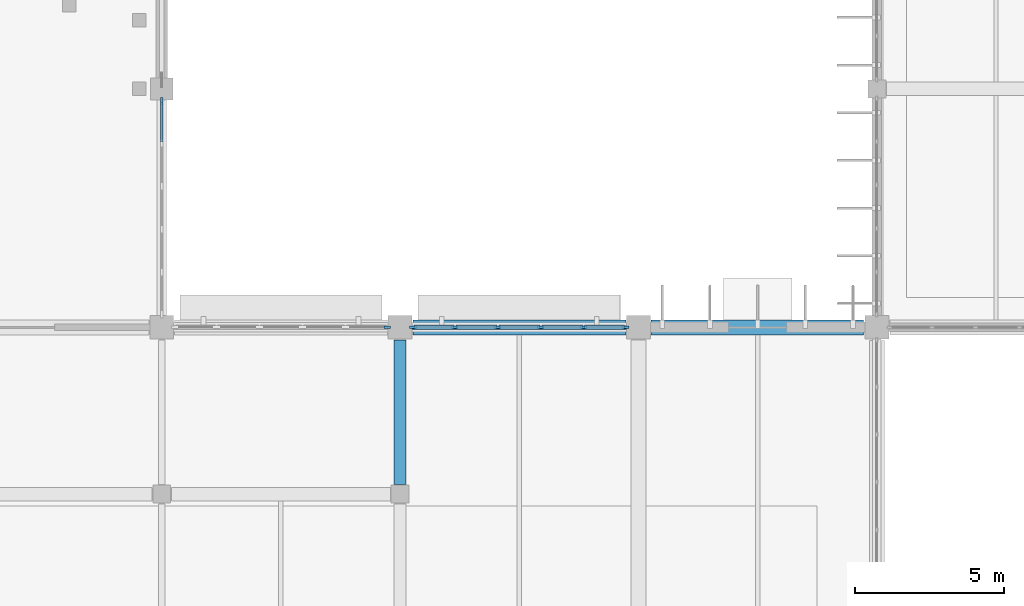
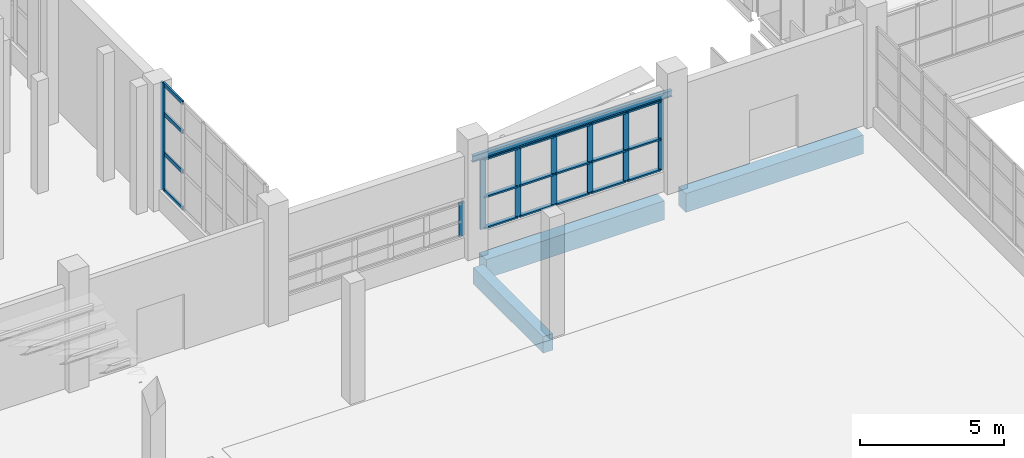
# One storey, part 32 of 103: 27 members, 4 beams, 3 elements without a shape of their own.
"""IFC4 building model written with IfcOpenShell, lengths in metres."""

from ifc_helpers import new_model, si_unit, direction, frame, origin, origin_2d, place, context, subcontext, project, spatial, rectangle, i_section, extrude, material, layer, layer_set, material_profile, profile_set, type_object, element, aggregate, save


model = new_model("IFC4")

# Units and contexts
model_context = context("Model", 3, precision=1e-05, world=origin(), true_north=direction((0.0, 1.0)))
body_context = subcontext(model_context, "Body", "Model", "MODEL_VIEW")
ifc_project = project(units=[si_unit("LENGTHUNIT", "METRE"), si_unit("AREAUNIT", "SQUARE_METRE"), si_unit("VOLUMEUNIT", "CUBIC_METRE"), si_unit("PLANEANGLEUNIT", "RADIAN"), si_unit("MASSUNIT", "GRAM", prefix="KILO")], contexts=[model_context])

# Site, building, storey
site_placement = place(None, origin())
site = spatial("IfcSite", under=ifc_project, at=site_placement, CompositionType="ELEMENT")
building_placement = place(site_placement, origin())
building = spatial("IfcBuilding", under=site, at=building_placement, Name="Drelvana Railside Aquatics Centre", CompositionType="ELEMENT")
storey_placement = place(building_placement, origin())
storey = spatial("IfcBuildingStorey", under=building, at=storey_placement, Name="L00", CompositionType="ELEMENT", Elevation=0.0)

# Curtain wall, member
ifc_material_1 = material(Name="Bronze-anodised aluminium curtain wall", Category="aluminium")
ifc_layer_1 = layer(ifc_material_1, 0.199951171875, Name="Bronze-anodised aluminium curtain wall")
ifc_layer_set_1 = layer_set([ifc_layer_1], Name="Bronze-anodised aluminium curtain wall")
curtain_wall_type_1 = type_object("IfcCurtainWallType", Name="CW-Z1-SINE", PredefinedType="NOTDEFINED", material=ifc_layer_set_1)
curtain_wall_1_placement = place(storey_placement, origin())
curtain_wall_1 = element("IfcCurtainWall", 1, at=curtain_wall_1_placement, inside=storey, type_object=curtain_wall_type_1, Name="Curtain wall CW-01-020", PredefinedType="NOTDEFINED")
ifc_material_2 = material(Name="Bronze-anodised aluminium 6063-T6", Category="aluminium")
ifc_material_profile_1 = material_profile(ifc_material_2, rectangle(XDim=0.074951171875, YDim=0.22509765625, at=origin_2d()), Name="ALU-M 75x225")
ifc_profile_set_1 = profile_set([ifc_material_profile_1], Name="Bronze-anodised aluminium 6063-T6")
member_type_1 = type_object("IfcMemberType", Name="CW-Z1-SINE-MUL", PredefinedType="MULLION", material=ifc_profile_set_1)
member_1_placement = place(storey_placement, frame((79.568603515625, 84.0, 0.843994140625), z_axis=(0.0, 0.0, 1.0), x_axis=(0.0, 1.0, 0.0)))
member_1 = element("IfcMember", 2, at=member_1_placement, type_object=member_type_1, Name="CW-01 mullion 6", PredefinedType="MULLION", context=body_context, shape_type="SweptSolid", body=[
    extrude(rectangle(XDim=0.074951171875, YDim=0.22509765625, at=origin_2d()), origin(), (0.0, 0.0, 1.0), 1.43603515625),
])
aggregate(curtain_wall_1, [member_1])

# Curtain wall, members
curtain_wall_2_placement = place(storey_placement, origin())
curtain_wall_2 = element("IfcCurtainWall", 3, at=curtain_wall_2_placement, inside=storey, type_object=curtain_wall_type_1, Name="Curtain wall CW-01-023", PredefinedType="NOTDEFINED")
member_2_placement = place(storey_placement, frame((80.431396484375, 84.0, 0.843994140625), z_axis=(0.0, 0.0, 1.0), x_axis=(0.0, 1.0, 0.0)))
member_2 = element("IfcMember", 4, at=member_2_placement, type_object=member_type_1, Name="CW-01 mullion 1", PredefinedType="MULLION", context=body_context, shape_type="SweptSolid", body=[
    extrude(rectangle(XDim=0.074951171875, YDim=0.22509765625, at=origin_2d()), origin(), (0.0, 0.0, 1.0), 2.986083984375),
])
member_3_placement = place(storey_placement, frame((81.83642578125, 84.0, 0.843994140625), z_axis=(0.0, 0.0, 1.0), x_axis=(0.0, 1.0, 0.0)))
member_3 = element("IfcMember", 5, at=member_3_placement, type_object=member_type_1, Name="CW-01 mullion 2", PredefinedType="MULLION", context=body_context, shape_type="SweptSolid", body=[
    extrude(rectangle(XDim=0.074951171875, YDim=0.22509765625, at=origin_2d()), origin(), (0.0, 0.0, 1.0), 2.986083984375),
])
member_4_placement = place(storey_placement, frame((83.27880859375, 84.0, 0.843994140625), z_axis=(0.0, 0.0, 1.0), x_axis=(0.0, 1.0, 0.0)))
member_4 = element("IfcMember", 6, at=member_4_placement, type_object=member_type_1, Name="CW-01 mullion 3", PredefinedType="MULLION", context=body_context, shape_type="SweptSolid", body=[
    extrude(rectangle(XDim=0.074951171875, YDim=0.22509765625, at=origin_2d()), origin(), (0.0, 0.0, 1.0), 2.986083984375),
])
member_5_placement = place(storey_placement, frame((84.72119140625, 84.0, 0.843994140625), z_axis=(0.0, 0.0, 1.0), x_axis=(0.0, 1.0, 0.0)))
member_5 = element("IfcMember", 7, at=member_5_placement, type_object=member_type_1, Name="CW-01 mullion 4", PredefinedType="MULLION", context=body_context, shape_type="SweptSolid", body=[
    extrude(rectangle(XDim=0.074951171875, YDim=0.22509765625, at=origin_2d()), origin(), (0.0, 0.0, 1.0), 2.986083984375),
])
member_6_placement = place(storey_placement, frame((86.16357421875, 84.0, 0.843994140625), z_axis=(0.0, 0.0, 1.0), x_axis=(0.0, 1.0, 0.0)))
member_6 = element("IfcMember", 8, at=member_6_placement, type_object=member_type_1, Name="CW-01 mullion 5", PredefinedType="MULLION", context=body_context, shape_type="SweptSolid", body=[
    extrude(rectangle(XDim=0.074951171875, YDim=0.22509765625, at=origin_2d()), origin(), (0.0, 0.0, 1.0), 2.986083984375),
])
member_7_placement = place(storey_placement, frame((87.568603515625, 84.0, 0.843994140625), z_axis=(0.0, 0.0, 1.0), x_axis=(0.0, 1.0, 0.0)))
member_7 = element("IfcMember", 9, at=member_7_placement, type_object=member_type_1, Name="CW-01 mullion 6", PredefinedType="MULLION", context=body_context, shape_type="SweptSolid", body=[
    extrude(rectangle(XDim=0.074951171875, YDim=0.22509765625, at=origin_2d()), origin(), (0.0, 0.0, 1.0), 2.986083984375),
])
ifc_material_profile_2 = material_profile(ifc_material_2, rectangle(XDim=0.159912109375, YDim=0.070068359375, at=origin_2d()), Name="ALU-T 70x160")
ifc_profile_set_2 = profile_set([ifc_material_profile_2], Name="Bronze-anodised aluminium 6063-T6")
member_type_2 = type_object("IfcMemberType", Name="CW-Z1-SINE-TRN", PredefinedType="USERDEFINED", material=ifc_profile_set_2)
member_8_placement = place(storey_placement, frame((80.464111328125, 84.0, 0.87890625), z_axis=(1.0, 0.0, 0.0), x_axis=(0.0, 1.0, 0.0)))
member_8 = element("IfcMember", 10, at=member_8_placement, type_object=member_type_2, Name="CW-01 transom 1.1", ObjectType="TRANSOM", PredefinedType="USERDEFINED", context=body_context, shape_type="SweptSolid", body=[
    extrude(rectangle(XDim=0.159912109375, YDim=0.070068359375, at=origin_2d()), origin(), (0.0, 0.0, 1.0), 1.33984375),
])
member_9_placement = place(storey_placement, frame((80.464111328125, 84.0, 2.18798828125), z_axis=(1.0, 0.0, 0.0), x_axis=(0.0, 1.0, 0.0)))
member_9 = element("IfcMember", 11, at=member_9_placement, type_object=member_type_2, Name="CW-01 transom 1.2", ObjectType="TRANSOM", PredefinedType="USERDEFINED", context=body_context, shape_type="SweptSolid", body=[
    extrude(rectangle(XDim=0.159912109375, YDim=0.070068359375, at=origin_2d()), origin(), (0.0, 0.0, 1.0), 1.33984375),
])
member_10_placement = place(storey_placement, frame((80.464111328125, 84.0, 3.794921875), z_axis=(1.0, 0.0, 0.0), x_axis=(0.0, 1.0, 0.0)))
member_10 = element("IfcMember", 12, at=member_10_placement, type_object=member_type_2, Name="CW-01 transom 1.3", ObjectType="TRANSOM", PredefinedType="USERDEFINED", context=body_context, shape_type="SweptSolid", body=[
    extrude(rectangle(XDim=0.159912109375, YDim=0.070068359375, at=origin_2d()), origin(), (0.0, 0.0, 1.0), 1.33984375),
])
member_11_placement = place(storey_placement, frame((81.868896484375, 84.0, 0.87890625), z_axis=(1.0, 0.0, 0.0), x_axis=(0.0, 1.0, 0.0)))
member_11 = element("IfcMember", 13, at=member_11_placement, type_object=member_type_2, Name="CW-01 transom 2.1", ObjectType="TRANSOM", PredefinedType="USERDEFINED", context=body_context, shape_type="SweptSolid", body=[
    extrude(rectangle(XDim=0.159912109375, YDim=0.070068359375, at=origin_2d()), origin(), (0.0, 0.0, 1.0), 1.37744140625),
])
member_12_placement = place(storey_placement, frame((81.868896484375, 84.0, 2.18798828125), z_axis=(1.0, 0.0, 0.0), x_axis=(0.0, 1.0, 0.0)))
member_12 = element("IfcMember", 14, at=member_12_placement, type_object=member_type_2, Name="CW-01 transom 2.2", ObjectType="TRANSOM", PredefinedType="USERDEFINED", context=body_context, shape_type="SweptSolid", body=[
    extrude(rectangle(XDim=0.159912109375, YDim=0.070068359375, at=origin_2d()), origin(), (0.0, 0.0, 1.0), 1.37744140625),
])
member_13_placement = place(storey_placement, frame((81.868896484375, 84.0, 3.794921875), z_axis=(1.0, 0.0, 0.0), x_axis=(0.0, 1.0, 0.0)))
member_13 = element("IfcMember", 15, at=member_13_placement, type_object=member_type_2, Name="CW-01 transom 2.3", ObjectType="TRANSOM", PredefinedType="USERDEFINED", context=body_context, shape_type="SweptSolid", body=[
    extrude(rectangle(XDim=0.159912109375, YDim=0.070068359375, at=origin_2d()), origin(), (0.0, 0.0, 1.0), 1.37744140625),
])
member_14_placement = place(storey_placement, frame((83.311279296875, 84.0, 0.87890625), z_axis=(1.0, 0.0, 0.0), x_axis=(0.0, 1.0, 0.0)))
member_14 = element("IfcMember", 16, at=member_14_placement, type_object=member_type_2, Name="CW-01 transom 3.1", ObjectType="TRANSOM", PredefinedType="USERDEFINED", context=body_context, shape_type="SweptSolid", body=[
    extrude(rectangle(XDim=0.159912109375, YDim=0.070068359375, at=origin_2d()), origin(), (0.0, 0.0, 1.0), 1.37744140625),
])
member_15_placement = place(storey_placement, frame((83.311279296875, 84.0, 2.18798828125), z_axis=(1.0, 0.0, 0.0), x_axis=(0.0, 1.0, 0.0)))
member_15 = element("IfcMember", 17, at=member_15_placement, type_object=member_type_2, Name="CW-01 transom 3.2", ObjectType="TRANSOM", PredefinedType="USERDEFINED", context=body_context, shape_type="SweptSolid", body=[
    extrude(rectangle(XDim=0.159912109375, YDim=0.070068359375, at=origin_2d()), origin(), (0.0, 0.0, 1.0), 1.37744140625),
])
member_16_placement = place(storey_placement, frame((83.311279296875, 84.0, 3.794921875), z_axis=(1.0, 0.0, 0.0), x_axis=(0.0, 1.0, 0.0)))
member_16 = element("IfcMember", 18, at=member_16_placement, type_object=member_type_2, Name="CW-01 transom 3.3", ObjectType="TRANSOM", PredefinedType="USERDEFINED", context=body_context, shape_type="SweptSolid", body=[
    extrude(rectangle(XDim=0.159912109375, YDim=0.070068359375, at=origin_2d()), origin(), (0.0, 0.0, 1.0), 1.37744140625),
])
member_17_placement = place(storey_placement, frame((84.753662109375, 84.0, 0.87890625), z_axis=(1.0, 0.0, 0.0), x_axis=(0.0, 1.0, 0.0)))
member_17 = element("IfcMember", 19, at=member_17_placement, type_object=member_type_2, Name="CW-01 transom 4.1", ObjectType="TRANSOM", PredefinedType="USERDEFINED", context=body_context, shape_type="SweptSolid", body=[
    extrude(rectangle(XDim=0.159912109375, YDim=0.070068359375, at=origin_2d()), origin(), (0.0, 0.0, 1.0), 1.37744140625),
])
member_18_placement = place(storey_placement, frame((84.753662109375, 84.0, 2.18798828125), z_axis=(1.0, 0.0, 0.0), x_axis=(0.0, 1.0, 0.0)))
member_18 = element("IfcMember", 20, at=member_18_placement, type_object=member_type_2, Name="CW-01 transom 4.2", ObjectType="TRANSOM", PredefinedType="USERDEFINED", context=body_context, shape_type="SweptSolid", body=[
    extrude(rectangle(XDim=0.159912109375, YDim=0.070068359375, at=origin_2d()), origin(), (0.0, 0.0, 1.0), 1.37744140625),
])
member_19_placement = place(storey_placement, frame((84.753662109375, 84.0, 3.794921875), z_axis=(1.0, 0.0, 0.0), x_axis=(0.0, 1.0, 0.0)))
member_19 = element("IfcMember", 21, at=member_19_placement, type_object=member_type_2, Name="CW-01 transom 4.3", ObjectType="TRANSOM", PredefinedType="USERDEFINED", context=body_context, shape_type="SweptSolid", body=[
    extrude(rectangle(XDim=0.159912109375, YDim=0.070068359375, at=origin_2d()), origin(), (0.0, 0.0, 1.0), 1.37744140625),
])
member_20_placement = place(storey_placement, frame((86.196044921875, 84.0, 0.87890625), z_axis=(1.0, 0.0, 0.0), x_axis=(0.0, 1.0, 0.0)))
member_20 = element("IfcMember", 22, at=member_20_placement, type_object=member_type_2, Name="CW-01 transom 5.1", ObjectType="TRANSOM", PredefinedType="USERDEFINED", context=body_context, shape_type="SweptSolid", body=[
    extrude(rectangle(XDim=0.159912109375, YDim=0.070068359375, at=origin_2d()), origin(), (0.0, 0.0, 1.0), 1.33984375),
])
member_21_placement = place(storey_placement, frame((86.196044921875, 84.0, 2.18798828125), z_axis=(1.0, 0.0, 0.0), x_axis=(0.0, 1.0, 0.0)))
member_21 = element("IfcMember", 23, at=member_21_placement, type_object=member_type_2, Name="CW-01 transom 5.2", ObjectType="TRANSOM", PredefinedType="USERDEFINED", context=body_context, shape_type="SweptSolid", body=[
    extrude(rectangle(XDim=0.159912109375, YDim=0.070068359375, at=origin_2d()), origin(), (0.0, 0.0, 1.0), 1.33984375),
])
member_22_placement = place(storey_placement, frame((86.196044921875, 84.0, 3.794921875), z_axis=(1.0, 0.0, 0.0), x_axis=(0.0, 1.0, 0.0)))
member_22 = element("IfcMember", 24, at=member_22_placement, type_object=member_type_2, Name="CW-01 transom 5.3", ObjectType="TRANSOM", PredefinedType="USERDEFINED", context=body_context, shape_type="SweptSolid", body=[
    extrude(rectangle(XDim=0.159912109375, YDim=0.070068359375, at=origin_2d()), origin(), (0.0, 0.0, 1.0), 1.33984375),
])
aggregate(curtain_wall_2, [member_2, member_3, member_4, member_5, member_6, member_7, member_8, member_9, member_10, member_11, member_12, member_13, member_14, member_15, member_16, member_17, member_18, member_19, member_20, member_21, member_22])

ifc_layer_2 = layer(ifc_material_1, 0.2099609375, Name="Bronze-anodised aluminium curtain wall")
ifc_layer_set_2 = layer_set([ifc_layer_2], Name="Bronze-anodised aluminium curtain wall")
curtain_wall_type_2 = type_object("IfcCurtainWallType", Name="CW-Z7-DIVE", PredefinedType="NOTDEFINED", material=ifc_layer_set_2)
curtain_wall_3_placement = place(storey_placement, origin())
curtain_wall_3 = element("IfcCurtainWall", 25, at=curtain_wall_3_placement, inside=storey, type_object=curtain_wall_type_2, Name="Curtain wall CW-07-090", PredefinedType="NOTDEFINED")
ifc_material_profile_3 = material_profile(ifc_material_2, rectangle(XDim=0.080078125, YDim=0.25, at=origin_2d()), Name="ALU-M 80x250")
ifc_profile_set_3 = profile_set([ifc_material_profile_3], Name="Bronze-anodised aluminium 6063-T6")
member_type_3 = type_object("IfcMemberType", Name="CW-Z7-DIVE-MUL", PredefinedType="MULLION", material=ifc_profile_set_3)
member_23_placement = place(storey_placement, frame((72.0, 91.591064453125, 0.843994140625), z_axis=(0.0, 0.0, 1.0), x_axis=(-1.0, 0.0, 0.0)))
member_23 = element("IfcMember", 26, at=member_23_placement, type_object=member_type_3, Name="CW-07 mullion 6", PredefinedType="MULLION", context=body_context, shape_type="SweptSolid", body=[
    extrude(rectangle(XDim=0.080078125, YDim=0.25, at=origin_2d()), origin(), (0.0, 0.0, 1.0), 4.5458984375),
])
ifc_material_profile_4 = material_profile(ifc_material_2, rectangle(XDim=0.159912109375, YDim=0.070068359375, at=origin_2d()), Name="ALU-T 70x160")
ifc_profile_set_4 = profile_set([ifc_material_profile_4], Name="Bronze-anodised aluminium 6063-T6")
member_type_4 = type_object("IfcMemberType", Name="CW-Z7-DIVE-TRN", PredefinedType="USERDEFINED", material=ifc_profile_set_4)
member_24_placement = place(storey_placement, frame((72.0, 90.218505859375, 0.87890625), z_axis=(0.0, 1.0, 0.0), x_axis=(0.0, 0.0, 1.0)))
member_24 = element("IfcMember", 27, at=member_24_placement, type_object=member_type_4, Name="CW-07 transom 5.1", ObjectType="TRANSOM", PredefinedType="USERDEFINED", context=body_context, shape_type="SweptSolid", body=[
    extrude(rectangle(XDim=0.159912109375, YDim=0.070068359375, at=origin_2d()), origin(), (0.0, 0.0, 1.0), 1.33740234375),
])
member_25_placement = place(storey_placement, frame((72.0, 90.218505859375, 2.43505859375), z_axis=(0.0, 1.0, 0.0), x_axis=(0.0, 0.0, 1.0)))
member_25 = element("IfcMember", 28, at=member_25_placement, type_object=member_type_4, Name="CW-07 transom 5.2", ObjectType="TRANSOM", PredefinedType="USERDEFINED", context=body_context, shape_type="SweptSolid", body=[
    extrude(rectangle(XDim=0.159912109375, YDim=0.070068359375, at=origin_2d()), origin(), (0.0, 0.0, 1.0), 1.33740234375),
])
member_26_placement = place(storey_placement, frame((72.0, 90.218505859375, 4.116943359375), z_axis=(0.0, 1.0, 0.0), x_axis=(0.0, 0.0, 1.0)))
member_26 = element("IfcMember", 29, at=member_26_placement, type_object=member_type_4, Name="CW-07 transom 5.3", ObjectType="TRANSOM", PredefinedType="USERDEFINED", context=body_context, shape_type="SweptSolid", body=[
    extrude(rectangle(XDim=0.159912109375, YDim=0.070068359375, at=origin_2d()), origin(), (0.0, 0.0, 1.0), 1.33740234375),
])
member_27_placement = place(storey_placement, frame((72.0, 90.218505859375, 5.35498046875), z_axis=(0.0, 1.0, 0.0), x_axis=(0.0, 0.0, 1.0)))
member_27 = element("IfcMember", 30, at=member_27_placement, type_object=member_type_4, Name="CW-07 transom 5.4", ObjectType="TRANSOM", PredefinedType="USERDEFINED", context=body_context, shape_type="SweptSolid", body=[
    extrude(rectangle(XDim=0.159912109375, YDim=0.070068359375, at=origin_2d()), origin(), (0.0, 0.0, 1.0), 1.33740234375),
])
aggregate(curtain_wall_3, [member_23, member_24, member_25, member_26, member_27])

# Beams
ifc_material_3 = material(Name="Concrete C40/50", Category="concrete")
ifc_material_profile_5 = material_profile(ifc_material_3, rectangle(XDim=0.39990234375, YDim=0.699951171875, at=origin_2d()), Name="RC 400x700")
ifc_profile_set_5 = profile_set([ifc_material_profile_5], Name="Concrete C40/50")
beam_type_1 = type_object("IfcBeamType", Name="STR-BM-BM-03-RC-400x700", PredefinedType="BEAM", material=ifc_profile_set_5)
beam_1_placement = place(storey_placement, frame((80.0, 78.72509765625, -0.679931640625), z_axis=(0.0, 1.0, 0.0), x_axis=(-1.0, 0.0, 0.0)))
element("IfcBeam", 31, at=beam_1_placement, inside=storey, type_object=beam_type_1, Name="Girder BM-03 (L00)", PredefinedType="BEAM", context=body_context, shape_type="SweptSolid", body=[
    extrude(rectangle(XDim=0.39990234375, YDim=0.699951171875, at=origin_2d()), origin(), (0.0, 0.0, 1.0), 4.849853515625),
])
ifc_material_profile_6 = material_profile(ifc_material_3, rectangle(XDim=0.5, YDim=0.800048828125, at=origin_2d()), Name="RC 500x800")
ifc_profile_set_6 = profile_set([ifc_material_profile_6], Name="Concrete C40/50")
beam_type_2 = type_object("IfcBeamType", Name="STR-BM-BM-06-RC-500x800", PredefinedType="SPANDREL", material=ifc_profile_set_6)
beam_2_placement = place(storey_placement, frame((80.425048828125, 84.0, -0.72998046875), z_axis=(1.0, 0.0, 0.0), x_axis=(0.0, 1.0, 0.0)))
element("IfcBeam", 32, at=beam_2_placement, inside=storey, type_object=beam_type_2, Name="Girder BM-06 (L00)", PredefinedType="SPANDREL", context=body_context, shape_type="SweptSolid", body=[
    extrude(rectangle(XDim=0.5, YDim=0.800048828125, at=origin_2d()), origin(), (0.0, 0.0, 1.0), 7.14990234375),
])
beam_3_placement = place(storey_placement, frame((88.425048828125, 84.0, -0.72998046875), z_axis=(1.0, 0.0, 0.0), x_axis=(0.0, 1.0, 0.0)))
element("IfcBeam", 33, at=beam_3_placement, inside=storey, type_object=beam_type_2, Name="Girder BM-06 (L00)", PredefinedType="SPANDREL", context=body_context, shape_type="SweptSolid", body=[
    extrude(rectangle(XDim=0.5, YDim=0.800048828125, at=origin_2d()), origin(), (0.0, 0.0, 1.0), 7.125),
])
ifc_material_4 = material(Name="Structural steel S355", Category="steel")
ifc_material_profile_7 = material_profile(ifc_material_4, i_section(OverallWidth=0.135009765625, OverallDepth=0.27001953125, WebThickness=0.006591796875, FlangeThickness=0.01025390625, at=origin_2d()), Name="IPE 270")
ifc_profile_set_7 = profile_set([ifc_material_profile_7], Name="Structural steel S355")
beam_type_3 = type_object("IfcBeamType", Name="STR-SBM-SJ-02-IPE-270", PredefinedType="JOIST", material=ifc_profile_set_7)
beam_4_placement = place(storey_placement, frame((80.0, 84.0, 3.965087890625), z_axis=(1.0, 0.0, 0.0), x_axis=(0.0, 1.0, 0.0)))
element("IfcBeam", 34, at=beam_4_placement, inside=storey, type_object=beam_type_3, Name="V1N sine-wave lintel beam 3", PredefinedType="JOIST", context=body_context, shape_type="SweptSolid", body=[
    extrude(i_section(OverallWidth=0.135009765625, OverallDepth=0.27001953125, WebThickness=0.006591796875, FlangeThickness=0.01025390625, at=origin_2d()), origin(), (0.0, 0.0, 1.0), 8.0),
])

save(model, "model.ifc")
